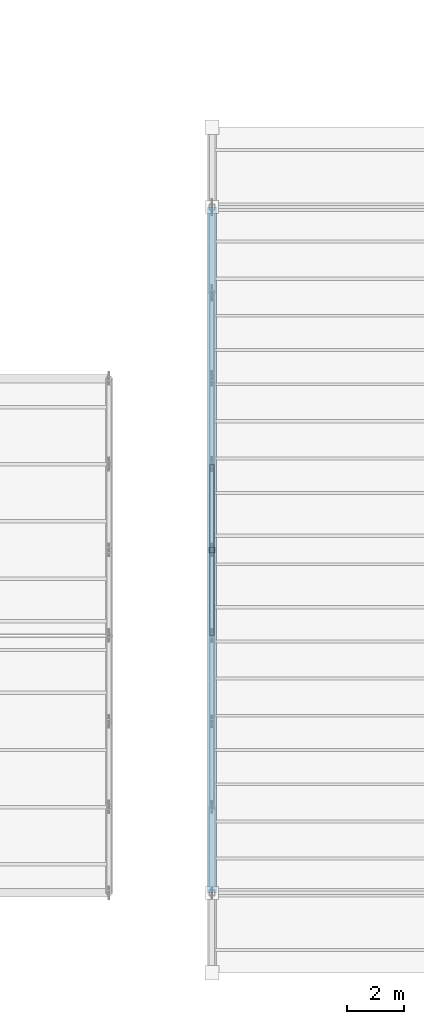
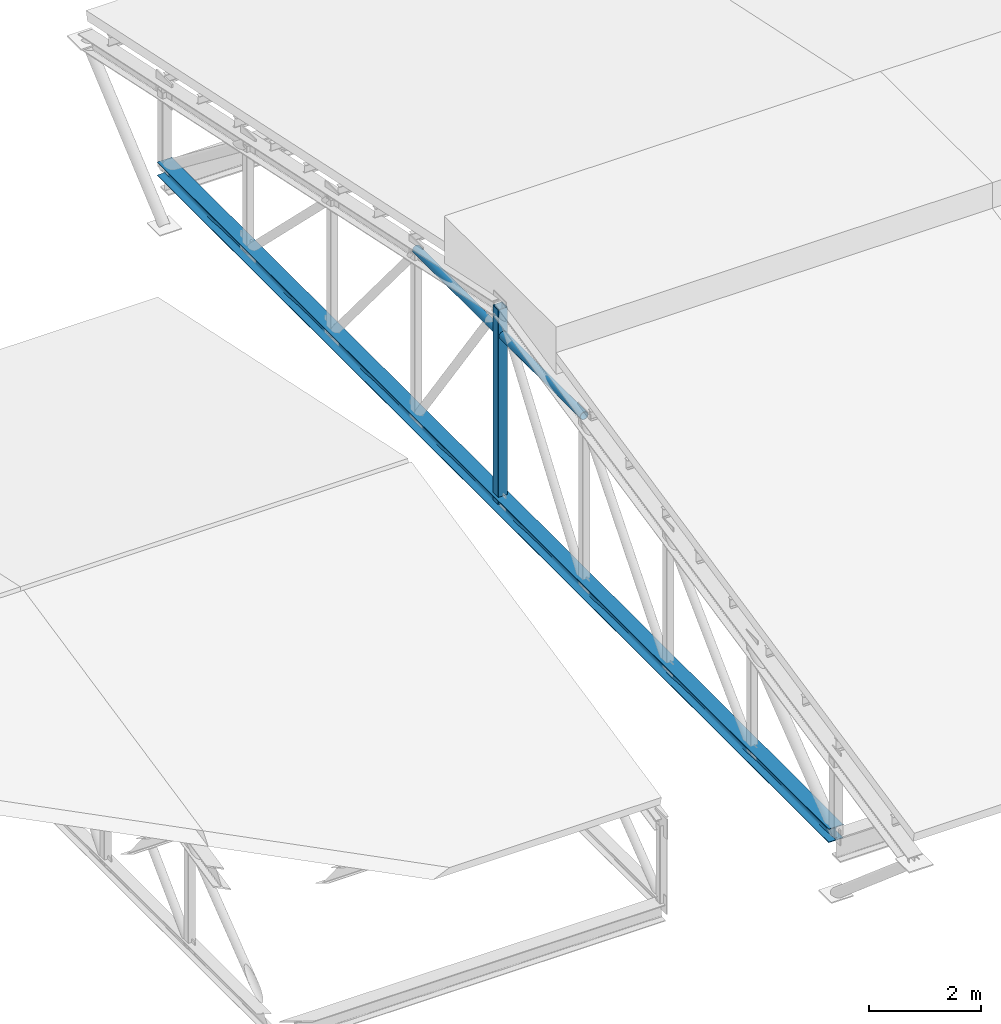
# One storey, part 3 of 43: 3 members.
"""IFC4 building model written with IfcOpenShell, lengths in metres."""

from ifc_helpers import new_model, si_unit, direction, frame, origin, origin_2d, place, context, subcontext, project, spatial, hollow_rectangle, hollow_circle, i_section, extrude, material, material_profile, profile_set, type_object, element, save


model = new_model("IFC4")

# Units and contexts
model_context = context("Model", 3, precision=1e-05, world=origin(), true_north=direction((0.0, 1.0)))
body_context = subcontext(model_context, "Body", "Model", "MODEL_VIEW")
ifc_project = project(units=[si_unit("LENGTHUNIT", "METRE"), si_unit("AREAUNIT", "SQUARE_METRE"), si_unit("VOLUMEUNIT", "CUBIC_METRE"), si_unit("PLANEANGLEUNIT", "RADIAN"), si_unit("MASSUNIT", "GRAM", prefix="KILO")], contexts=[model_context])

# Site, building, storey
site_placement = place(None, origin())
site = spatial("IfcSite", under=ifc_project, at=site_placement, CompositionType="ELEMENT")
building_placement = place(site_placement, origin())
building = spatial("IfcBuilding", under=site, at=building_placement, Name="Serraforn Aerial Cableway Station", CompositionType="ELEMENT")
storey_placement = place(building_placement, frame((0.0, 0.0, 18.300048828125)))
storey = spatial("IfcBuildingStorey", under=building, at=storey_placement, Name="RF", CompositionType="ELEMENT", Elevation=18.300048828125)

# Members
ifc_material = material(Name="Steel S355J2", Category="steel")
ifc_material_profile_1 = material_profile(ifc_material, i_section(OverallWidth=0.300048828125, OverallDepth=0.300048828125, WebThickness=0.008544921875, FlangeThickness=0.013916015625, FilletRadius=0.027099609375, at=origin_2d()), Name="HEA 300")
ifc_profile_set_1 = profile_set([ifc_material_profile_1], Name="Steel S355J2")
member_type_1 = type_object("IfcMemberType", Name="MEM-BC-HEA300", PredefinedType="CHORD", material=ifc_profile_set_1)
member_1_placement = place(storey_placement, frame((27.60009765625, 18.0, -1.35009765625), z_axis=(0.0, 1.0, 0.0), x_axis=(-1.0, 0.0, 0.0)))
element("IfcMember", 1, at=member_1_placement, inside=storey, type_object=member_type_1, Name="Roof Truss TR-01 Bottom Chord", PredefinedType="CHORD", context=body_context, shape_type="SweptSolid", body=[
    extrude(i_section(OverallWidth=0.300048828125, OverallDepth=0.300048828125, WebThickness=0.008544921875, FlangeThickness=0.013916015625, FilletRadius=0.027099609375, at=origin_2d()), origin(), (0.0, 0.0, 1.0), 24.0),
])
ifc_material_profile_2 = material_profile(ifc_material, hollow_circle(Radius=0.084228515625, WallThickness=0.008056640625, at=origin_2d()), Name="CHS 168.3x8.0")
ifc_profile_set_2 = profile_set([ifc_material_profile_2], Name="Steel S355J2")
member_type_2 = type_object("IfcMemberType", Name="MEM-CL-CHS168", PredefinedType="COLLAR", material=ifc_profile_set_2)
member_2_placement = place(storey_placement, frame((27.60009765625, 27.0, 2.3076171875), z_axis=(0.0, 1.0, 0.0), x_axis=(-1.0, 0.0, 0.0)))
element("IfcMember", 2, at=member_2_placement, inside=storey, type_object=member_type_2, Name="Roof Truss TR-01 Collar Tie", PredefinedType="COLLAR", context=body_context, shape_type="SweptSolid", body=[
    extrude(hollow_circle(Radius=0.084228515625, WallThickness=0.008056640625, at=origin_2d()), origin(), (0.0, 0.0, 1.0), 6.0),
])
ifc_material_profile_3 = material_profile(ifc_material, hollow_rectangle(XDim=0.199951171875, YDim=0.199951171875, WallThickness=0.010009765625, InnerFilletRadius=0.010009765625, OuterFilletRadius=0.02001953125, at=origin_2d()), Name="SHS 200x200x10.0")
ifc_profile_set_3 = profile_set([ifc_material_profile_3], Name="Steel S355J2")
member_type_3 = type_object("IfcMemberType", Name="MEM-VP-SHS200", PredefinedType="STRUT", material=ifc_profile_set_3)
member_3_placement = place(storey_placement, frame((27.60009765625, 30.0, -1.360107421875), z_axis=(0.0, 0.0, 1.0), x_axis=(1.0, 0.0, 0.0)))
element("IfcMember", 3, at=member_3_placement, inside=storey, type_object=member_type_3, Name="Roof Truss TR-01 Vertical Post 5", PredefinedType="STRUT", context=body_context, shape_type="SweptSolid", body=[
    extrude(hollow_rectangle(XDim=0.199951171875, YDim=0.199951171875, WallThickness=0.010009765625, InnerFilletRadius=0.010009765625, OuterFilletRadius=0.02001953125, at=origin_2d()), origin(), (0.0, 0.0, 1.0), 4.24609375),
])

save(model, "model.ifc")
